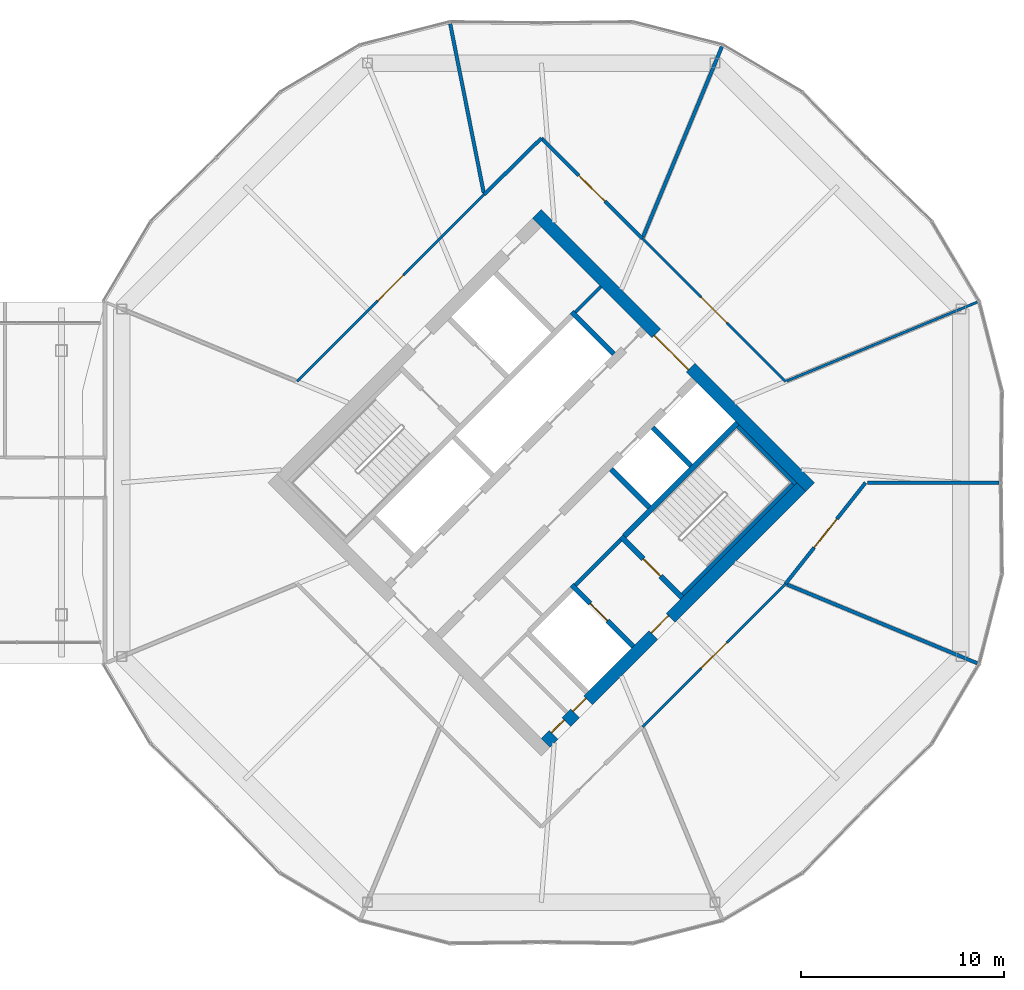
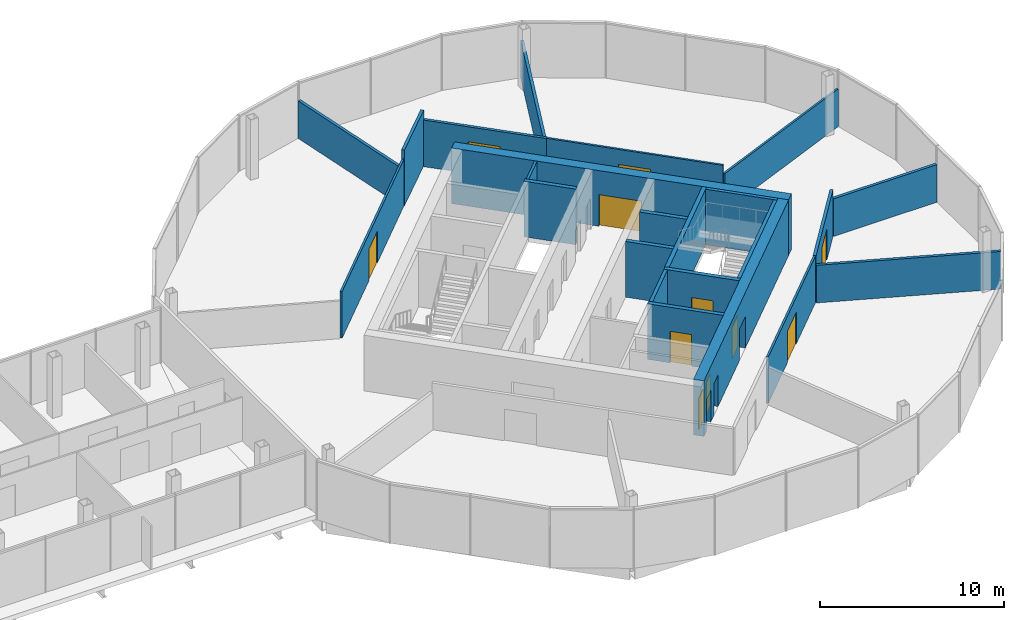
# One storey, part 24 of 26: 23 walls, 11 doors, 11 openings.
"""IFC4 building model written with IfcOpenShell, lengths in metres."""

import ifcopenshell
import ifcopenshell.guid

model = None  # the IFC model being written
_history = None  # IfcOwnerHistory: only IFC2X3 demands one
_inside = {}  # id of a spatial element -> (the spatial element, [elements in it])
_under = {}  # id of a project, library or spatial element -> (it, [spatial elements below it])
_declared = {}  # id of a project -> (the project, [libraries it declares])
_typed = {}  # id of a type object -> (the type object, [elements of that type])
_made_of = {}  # id of a material, layer set ... -> (it, [elements and type objects made of it])


def new_model(schema):
    """Start an empty IFC model of exactly this schema.

    Asked for "IFC4X3", IfcOpenShell would pick the latest addendum, in which some entities
    have other attributes; the version numbers below select the first issue.
    IFC2X3 requires an IfcOwnerHistory on every rooted entity: one is made here for all.
    """
    global model, _history
    if schema == "IFC4X3":
        model = ifcopenshell.file(schema_version=(4, 3, 0, 0))
    else:
        model = ifcopenshell.file(schema=schema)
    _inside.clear()
    _under.clear()
    _declared.clear()
    _typed.clear()
    _made_of.clear()
    _history = None
    if model.schema == "IFC2X3":
        org = make("IfcOrganization", Name="unknown")
        user = make(
            "IfcPersonAndOrganization",
            ThePerson=make("IfcPerson", FamilyName="unknown"),
            TheOrganization=org,
        )
        app = make(
            "IfcApplication",
            ApplicationDeveloper=org,
            Version="unknown",
            ApplicationFullName="unknown",
            ApplicationIdentifier="unknown",
        )
        _history = make(
            "IfcOwnerHistory",
            OwningUser=user,
            OwningApplication=app,
            ChangeAction="ADDED",
            CreationDate=0,
        )
    return model


def make(cls, **values):
    """One entity of the class cls with the attributes given. An attribute that is None is left unset."""
    return model.create_entity(
        cls, **{name: value for name, value in values.items() if value is not None}
    )


def rooted(cls, **values):
    """An entity with a GlobalId (a new one), such as an element, a storey or a relation."""
    return make(cls, GlobalId=ifcopenshell.guid.new(), OwnerHistory=_history, **values)


def si_unit(unit_type, name, prefix=None):
    """IfcSIUnit, for example si_unit("LENGTHUNIT", "METRE", prefix="MILLI")."""
    return make("IfcSIUnit", UnitType=unit_type, Prefix=prefix, Name=name)


def assignment(units):
    """IfcUnitAssignment: the units of a project."""
    return None if units is None else make("IfcUnitAssignment", Units=units)


def point(xyz):
    """IfcCartesianPoint."""
    return None if xyz is None else make("IfcCartesianPoint", Coordinates=xyz)


def direction(xyz):
    """IfcDirection."""
    return None if xyz is None else make("IfcDirection", DirectionRatios=xyz)


def frame(location, z_axis=None, x_axis=None):
    """IfcAxis2Placement3D, a coordinate frame: its origin and axes. An axis left out is left unset."""
    return make(
        "IfcAxis2Placement3D",
        Location=point(location),
        Axis=direction(z_axis),
        RefDirection=direction(x_axis),
    )


def frame_2d(location, x_axis=None):
    """IfcAxis2Placement2D, a coordinate frame in the plane: its origin and x axis."""
    return make(
        "IfcAxis2Placement2D", Location=point(location), RefDirection=direction(x_axis)
    )


def origin():
    """The frame at (0, 0, 0) with its axes left unset."""
    return frame((0.0, 0.0, 0.0))


def place(relative_to, where):
    """IfcLocalPlacement: puts the frame where relative to a parent placement (None: the world)."""
    return make(
        "IfcLocalPlacement", PlacementRelTo=relative_to, RelativePlacement=where
    )


def context(
    kind, dimensions, precision=None, world=None, true_north=None, identifier=None
):
    """IfcGeometricRepresentationContext, for example the 3D "Model" context."""
    return make(
        "IfcGeometricRepresentationContext",
        ContextIdentifier=identifier,
        ContextType=kind,
        CoordinateSpaceDimension=dimensions,
        Precision=precision,
        WorldCoordinateSystem=world,
        TrueNorth=true_north,
    )


def subcontext(parent, identifier, kind, view, scale=None):
    """IfcGeometricRepresentationSubContext, for example "Body" below "Model"."""
    return make(
        "IfcGeometricRepresentationSubContext",
        ContextIdentifier=identifier,
        ContextType=kind,
        ParentContext=parent,
        TargetScale=scale,
        TargetView=view,
    )


def project(units=None, contexts=None):
    """IfcProject with its units and contexts."""
    return rooted(
        "IfcProject",
        Name="project",
        RepresentationContexts=contexts,
        UnitsInContext=assignment(units),
    )


def spatial(cls, under=None, at=None, **own):
    """A site, building, storey or space (cls), placed at a placement, below another one or the project."""
    s = rooted(cls, ObjectPlacement=at, **own)
    if under is not None:
        _under.setdefault(under.id(), (under, []))[1].append(s)
    return s


def profile(cls, at=None, kind="AREA", **sizes):
    """A parametric profile (cls). Its sizes go by their IFC names, for example OverallWidth=200.0."""
    return make(cls, ProfileType=kind, Position=at, **sizes)


def rectangle(**sizes):
    """IfcRectangleProfileDef."""
    return profile("IfcRectangleProfileDef", **sizes)


def extrude(swept, where, along, depth):
    """IfcExtrudedAreaSolid: the profile swept, set in the frame where, extruded along a direction by depth."""
    return make(
        "IfcExtrudedAreaSolid",
        SweptArea=swept,
        Position=where,
        ExtrudedDirection=direction(along),
        Depth=depth,
    )


def shape(context_of_items, identifier, shape_type, items):
    """IfcShapeRepresentation: the items that make up one representation, for example the "Body"."""
    return make(
        "IfcShapeRepresentation",
        ContextOfItems=context_of_items,
        RepresentationIdentifier=identifier,
        RepresentationType=shape_type,
        Items=items,
    )


def material(Name=None, Category=None):
    """IfcMaterial."""
    return make("IfcMaterial", Name=Name, Category=Category)


def layer(
    of_material, thickness, ventilated=None, Name=None, Category=None, Priority=None
):
    """IfcMaterialLayer: one layer of a wall or slab, of a material (None: an air gap)."""
    return make(
        "IfcMaterialLayer",
        Material=of_material,
        LayerThickness=thickness,
        IsVentilated=ventilated,
        Name=Name,
        Category=Category,
        Priority=Priority,
    )


def layer_set(layers, Name=None):
    """IfcMaterialLayerSet."""
    return make("IfcMaterialLayerSet", MaterialLayers=layers, LayerSetName=Name)


def made_of(thing, what):
    """Note that an element or type object is made of a material, layer set ...; save() writes the relation."""
    if what is not None:
        _made_of.setdefault(what.id(), (what, []))[1].append(thing)
    return thing


def type_object(cls, material=None, **own):
    """A type object (cls), such as IfcWallType, which elements share."""
    return made_of(rooted(cls, **own), material)


def element(
    cls,
    number,
    at=None,
    inside=None,
    cuts=None,
    type_object=None,
    material=None,
    context=None,
    identifier="Body",
    shape_type=None,
    held_by="IfcProductDefinitionShape",
    body=None,
    shapes=None,
    **own,
):
    """One element of the class cls, such as IfcWall. Its Tag is "e" and its number.

    at: its placement. inside: the storey or other place that contains it. cuts: it is an
    opening in that element (IfcRelVoidsElement). A single representation is given by context,
    identifier, shape_type and body (its items); several are given by shapes. held_by: the class
    of the entity that holds the representations. save() writes the other relations.
    """
    e = rooted(cls, Tag="e%d" % number, ObjectPlacement=at, **own)
    if body is not None:
        shapes = [shape(context, identifier, shape_type, body)]
    if shapes is not None:
        e.Representation = make(held_by, Representations=shapes)
    if inside is not None:
        _inside.setdefault(inside.id(), (inside, []))[1].append(e)
    if cuts is not None:
        rooted(
            "IfcRelVoidsElement", RelatingBuildingElement=cuts, RelatedOpeningElement=e
        )
    if type_object is not None:
        _typed.setdefault(type_object.id(), (type_object, []))[1].append(e)
    return made_of(e, material)


def fill(opening, filler):
    """IfcRelFillsElement: the door or window that sits in an opening."""
    return rooted(
        "IfcRelFillsElement",
        RelatingOpeningElement=opening,
        RelatedBuildingElement=filler,
    )


def aggregate(whole, parts):
    """IfcRelAggregates: a whole, such as a stair, and the parts it consists of."""
    return rooted("IfcRelAggregates", RelatingObject=whole, RelatedObjects=parts)


def save(model, path):
    """Write the relations noted so far, then the file.

    IfcRelAggregates (storeys below a building ...), IfcRelContainedInSpatialStructure (elements
    in a storey), IfcRelDefinesByType, IfcRelAssociatesMaterial and IfcRelDeclares: one each for
    every whole, place, type object, material and project.
    """
    for whole, parts in _under.values():
        aggregate(whole, parts)
    for where, things in _inside.values():
        rooted(
            "IfcRelContainedInSpatialStructure",
            RelatedElements=things,
            RelatingStructure=where,
        )
    for kind, things in _typed.values():
        rooted("IfcRelDefinesByType", RelatedObjects=things, RelatingType=kind)
    for what, things in _made_of.values():
        rooted("IfcRelAssociatesMaterial", RelatedObjects=things, RelatingMaterial=what)
    for by, libraries in _declared.values():
        rooted("IfcRelDeclares", RelatingContext=by, RelatedDefinitions=libraries)
    model.write(path)


model = new_model("IFC4")

# Units and contexts
model_context = context("Model", 3, precision=1e-05, world=origin(), true_north=direction((0.0, 1.0)))
body_context = subcontext(model_context, "Body", "Model", "MODEL_VIEW")
ifc_project = project(units=[si_unit("LENGTHUNIT", "METRE"), si_unit("AREAUNIT", "SQUARE_METRE"), si_unit("VOLUMEUNIT", "CUBIC_METRE"), si_unit("PLANEANGLEUNIT", "RADIAN"), si_unit("MASSUNIT", "GRAM", prefix="KILO")], contexts=[model_context])

# Site, building, storey
site_placement = place(None, origin())
site = spatial("IfcSite", under=ifc_project, at=site_placement, CompositionType="ELEMENT")
building_placement = place(site_placement, origin())
building = spatial("IfcBuilding", under=site, at=building_placement, Name="Ogive Gate Towers", CompositionType="ELEMENT")
storey_placement = place(building_placement, frame((0.0, 0.0, 148.800048828125)))
storey = spatial("IfcBuildingStorey", under=building, at=storey_placement, Name="L35", CompositionType="ELEMENT", Elevation=148.800048828125)

# Walls
ifc_material_1 = material(Name="Gypsum board acoustic partition")
ifc_layer_1 = layer(ifc_material_1, 0.175048828125)
ifc_layer_set_1 = layer_set([ifc_layer_1], Name="Acoustic partition 175")
wall_type_1 = type_object("IfcWallType", Name="Acoustic partition 175", PredefinedType="PARTITIONING", material=ifc_layer_set_1)
wall_1_placement = place(storey_placement, frame((58.51904296875, 0.0, 0.0), z_axis=(0.0, 0.0, 1.0), x_axis=(-1.0, 0.0, 0.0)))
element("IfcWall", 1, at=wall_1_placement, inside=storey, type_object=wall_type_1, Name="Partition T2-L35-001", PredefinedType="PARTITIONING", context=body_context, shape_type="SweptSolid", body=[
    extrude(rectangle(XDim=6.4814453125, YDim=0.175048828125, at=frame_2d((3.24072265625, 0.0))), origin(), (0.0, 0.0, 1.0), 2.5),
])
wall_2_placement = place(storey_placement, frame((44.885986328125, 21.452392578125, 0.0), z_axis=(0.0, 0.0, 1.0), x_axis=(-0.382693022058, -0.923875560272, 0.0)))
element("IfcWall", 2, at=wall_2_placement, inside=storey, type_object=wall_type_1, Name="Partition T2-L35-003", PredefinedType="PARTITIONING", context=body_context, shape_type="SweptSolid", body=[
    extrude(rectangle(XDim=10.13134765625, YDim=0.175048828125, at=frame_2d((5.065673828125, 0.0))), origin(), (0.0, 0.0, 1.0), 2.5),
])
wall_3_placement = place(storey_placement, frame((31.516845703125, 22.57861328125, 0.0), z_axis=(0.0, 0.0, 1.0), x_axis=(0.194759728303, -0.980850981664, 0.0)))
element("IfcWall", 3, at=wall_3_placement, inside=storey, type_object=wall_type_1, Name="Partition T2-L35-004", PredefinedType="PARTITIONING", context=body_context, shape_type="SweptSolid", body=[
    extrude(rectangle(XDim=8.4814453125, YDim=0.175048828125, at=frame_2d((4.24072265625, 0.0))), origin(), (0.0, 0.0, 1.0), 2.5),
])
wall_4_placement = place(storey_placement, frame((57.452392578125, -8.885986328125, 0.0), z_axis=(0.0, 0.0, 1.0), x_axis=(-0.923875560272, 0.382693022058, 0.0)))
element("IfcWall", 4, at=wall_4_placement, inside=storey, type_object=wall_type_1, Name="Partition T2-L35-009", PredefinedType="PARTITIONING", context=body_context, shape_type="SweptSolid", body=[
    extrude(rectangle(XDim=10.13134765625, YDim=0.175048828125, at=frame_2d((5.065673828125, 0.0))), origin(), (0.0, 0.0, 1.0), 2.5),
])

# Wall, opening, door
wall_5_placement = place(storey_placement, frame((48.011474609375, -4.975341796875, 0.0), z_axis=(0.0, 0.0, 1.0), x_axis=(0.620670423241, 0.784071569255, 0.0)))
wall_5 = element("IfcWall", 5, at=wall_5_placement, inside=storey, type_object=wall_type_1, Name="Partition T2-L35-014", PredefinedType="PARTITIONING", context=body_context, shape_type="SweptSolid", body=[
    extrude(rectangle(XDim=6.345458984375, YDim=0.175048828125, at=frame_2d((3.1728515625, 0.0))), origin(), (0.0, 0.0, 1.0), 3.099853515625),
])
opening_1_placement = place(wall_5_placement, frame((2.27294921875, 0.0, 0.0)))
opening_1 = element("IfcOpeningElement", 6, at=opening_1_placement, cuts=wall_5, Name="Opening T2-L35-D04", PredefinedType="OPENING", context=body_context, shape_type="SweptSolid", body=[
    extrude(rectangle(XDim=1.800048828125, YDim=2.10009765625, at=frame_2d((0.89990234375, 1.050048828125))), frame((0.0, 0.09765625, 0.0), z_axis=(0.0, -1.0, 0.0), x_axis=(1.0, 0.0, 0.0)), (0.0, 0.0, 1.0), 0.195068359375),
])
ifc_material_2 = material(Name="Timber door", Category="wood")
door_type_1 = type_object("IfcDoorType", Name="Door pair 1800", OperationType="NOTDEFINED", PredefinedType="DOOR", material=ifc_material_2)
door_1_placement = place(opening_1_placement, origin())
door_1 = element("IfcDoor", 7, at=door_1_placement, inside=storey, type_object=door_type_1, Name="Door T2-L35-D04", OperationType="DOUBLE_DOOR_DOUBLE_SWING", OverallHeight=2.10009765625, OverallWidth=1.800048828125, PredefinedType="DOOR", context=body_context, shape_type="SweptSolid", body=[
    extrude(rectangle(XDim=1.800048828125, YDim=2.10009765625, at=frame_2d((0.89990234375, 1.050048828125))), frame((0.0, 0.02490234375, 0.0), z_axis=(0.0, -1.0, 0.0), x_axis=(1.0, 0.0, 0.0)), (0.0, 0.0, 1.0), 0.050048828125),
])
fill(opening_1, door_1)

wall_6_placement = place(storey_placement, frame((40.975341796875, 12.011474609375, 0.0), z_axis=(0.0, 0.0, 1.0), x_axis=(-0.710271300177, 0.703928036198, 0.0)))
wall_6 = element("IfcWall", 8, at=wall_6_placement, inside=storey, type_object=wall_type_1, Name="Partition T2-L35-016", PredefinedType="PARTITIONING", context=body_context, shape_type="SweptSolid", body=[
    extrude(rectangle(XDim=7.0048828125, YDim=0.175048828125, at=frame_2d((3.50244140625, 0.0))), origin(), (0.0, 0.0, 1.0), 3.099853515625),
])
opening_2_placement = place(wall_6_placement, frame((2.60205078125, 0.0, 0.0)))
opening_2 = element("IfcOpeningElement", 9, at=opening_2_placement, cuts=wall_6, Name="Opening T2-L35-D06", PredefinedType="OPENING", context=body_context, shape_type="SweptSolid", body=[
    extrude(rectangle(XDim=1.800048828125, YDim=2.10009765625, at=frame_2d((0.89990234375, 1.050048828125))), frame((0.0, 0.09765625, 0.0), z_axis=(0.0, -1.0, 0.0), x_axis=(1.0, 0.0, 0.0)), (0.0, 0.0, 1.0), 0.195068359375),
])
door_2_placement = place(opening_2_placement, origin())
door_2 = element("IfcDoor", 10, at=door_2_placement, inside=storey, type_object=door_type_1, Name="Door T2-L35-D06", OperationType="DOUBLE_DOOR_DOUBLE_SWING", OverallHeight=2.10009765625, OverallWidth=1.800048828125, PredefinedType="DOOR", context=body_context, shape_type="SweptSolid", body=[
    extrude(rectangle(XDim=1.800048828125, YDim=2.10009765625, at=frame_2d((0.89990234375, 1.050048828125))), frame((0.0, 0.02490234375, 0.0), z_axis=(0.0, -1.0, 0.0), x_axis=(1.0, 0.0, 0.0)), (0.0, 0.0, 1.0), 0.050048828125),
])
fill(opening_2, door_2)

# Walls
wall_7_placement = place(storey_placement, frame((36.0, 16.9423828125, 0.0), z_axis=(0.0, 0.0, 1.0), x_axis=(-0.712895882569, -0.701269891423, 0.0)))
element("IfcWall", 11, at=wall_7_placement, inside=storey, type_object=wall_type_1, Name="Partition T2-L35-017", PredefinedType="PARTITIONING", context=body_context, shape_type="SweptSolid", body=[
    extrude(rectangle(XDim=3.947998046875, YDim=0.175048828125, at=frame_2d((1.97412109375, 0.0))), origin(), (0.0, 0.0, 1.0), 3.699951171875),
])
ifc_material_3 = material(Name="Masonry blockwork", Category="masonry")
ifc_layer_2 = layer(ifc_material_3, 0.199951171875)
ifc_layer_set_2 = layer_set([ifc_layer_2], Name="Blockwork wall 200 mm")
wall_type_2 = type_object("IfcWallType", Name="Blockwork wall 200 mm", PredefinedType="PARTITIONING", material=ifc_layer_set_2)
wall_8_placement = place(storey_placement, frame((37.679443359375, -5.0380859375, 0.0), z_axis=(0.0, 0.0, 1.0), x_axis=(0.707106781187, 0.707106781187, 0.0)))
element("IfcWall", 12, at=wall_8_placement, inside=storey, type_object=wall_type_2, Name="T2 L35 Blockwork wall 200 mm", PredefinedType="PARTITIONING", context=body_context, shape_type="SweptSolid", body=[
    extrude(rectangle(XDim=3.14990234375, YDim=0.199951171875, at=frame_2d((1.574951171875, 0.0))), origin(), (0.0, 0.0, 1.0), 3.699951171875),
])

# Wall, openings, doors
ifc_material_4 = material(Name="Concrete C60/75", Category="concrete")
ifc_layer_3 = layer(ifc_material_4, 0.60009765625)
ifc_layer_set_3 = layer_set([ifc_layer_3], Name="Core wall 600 mm")
wall_type_3 = type_object("IfcWallType", Name="Core wall 600 mm", PredefinedType="SHEAR", material=ifc_layer_set_3)
wall_9_placement = place(storey_placement, frame((36.212158203125, -12.798583984375, 0.0), z_axis=(0.0, 0.0, 1.0), x_axis=(0.707106781187, 0.707106781187, 0.0)))
wall_9 = element("IfcWall", 13, at=wall_9_placement, inside=storey, type_object=wall_type_3, Name="T2 L35 Core wall 600 mm", PredefinedType="SHEAR", context=body_context, shape_type="SweptSolid", body=[
    extrude(rectangle(XDim=17.7998046875, YDim=0.60009765625, at=frame_2d((8.89990234375, 0.0))), origin(), (0.0, 0.0, 1.0), 3.699951171875),
])
opening_3_placement = place(wall_9_placement, frame((7.5, 0.0, 0.0)))
opening_3 = element("IfcOpeningElement", 14, at=opening_3_placement, cuts=wall_9, Name="Opening KD-T2-L35-19", PredefinedType="OPENING", context=body_context, shape_type="SweptSolid", body=[
    extrude(rectangle(XDim=1.199951171875, YDim=2.10009765625, at=frame_2d((0.60009765625, 1.050048828125))), frame((0.0, 0.31005859375, 0.0), z_axis=(0.0, -1.0, 0.0), x_axis=(1.0, 0.0, 0.0)), (0.0, 0.0, 1.0), 0.6201171875),
])
opening_4_placement = place(wall_9_placement, frame((0.550048828125, 0.0, 0.0)))
opening_4 = element("IfcOpeningElement", 15, at=opening_4_placement, cuts=wall_9, Name="Opening KD-T2-L35-21", PredefinedType="OPENING", context=body_context, shape_type="SweptSolid", body=[
    extrude(rectangle(XDim=0.89990234375, YDim=2.10009765625, at=frame_2d((0.449951171875, 1.050048828125))), frame((0.0, 0.31005859375, 0.0), z_axis=(0.0, -1.0, 0.0), x_axis=(1.0, 0.0, 0.0)), (0.0, 0.0, 1.0), 0.6201171875),
])
opening_5_placement = place(wall_9_placement, frame((2.050048828125, 0.0, 0.0)))
opening_5 = element("IfcOpeningElement", 16, at=opening_5_placement, cuts=wall_9, Name="Opening KD-T2-L35-22", PredefinedType="OPENING", context=body_context, shape_type="SweptSolid", body=[
    extrude(rectangle(XDim=0.89990234375, YDim=2.10009765625, at=frame_2d((0.449951171875, 1.050048828125))), frame((0.0, 0.31005859375, 0.0), z_axis=(0.0, -1.0, 0.0), x_axis=(1.0, 0.0, 0.0)), (0.0, 0.0, 1.0), 0.6201171875),
])
door_type_2 = type_object("IfcDoorType", Name="Core WC door 900 x 2100", OperationType="NOTDEFINED", PredefinedType="DOOR", material=ifc_material_2)
door_3_placement = place(opening_4_placement, origin())
door_3 = element("IfcDoor", 17, at=door_3_placement, inside=storey, type_object=door_type_2, Name="T2 L35 Core door", OperationType="SINGLE_SWING_RIGHT", OverallHeight=2.10009765625, OverallWidth=0.89990234375, PredefinedType="DOOR", context=body_context, shape_type="SweptSolid", body=[
    extrude(rectangle(XDim=0.89990234375, YDim=2.10009765625, at=frame_2d((0.449951171875, 1.050048828125))), frame((0.0, 0.1748046875, 0.0), z_axis=(0.0, -1.0, 0.0), x_axis=(1.0, 0.0, 0.0)), (0.0, 0.0, 1.0), 0.050048828125),
])
fill(opening_4, door_3)
door_4_placement = place(opening_5_placement, origin())
door_4 = element("IfcDoor", 18, at=door_4_placement, inside=storey, type_object=door_type_2, Name="T2 L35 Core door", OperationType="SINGLE_SWING_LEFT", OverallHeight=2.10009765625, OverallWidth=0.89990234375, PredefinedType="DOOR", context=body_context, shape_type="SweptSolid", body=[
    extrude(rectangle(XDim=0.89990234375, YDim=2.10009765625, at=frame_2d((0.449951171875, 1.050048828125))), frame((0.0, 0.1748046875, 0.0), z_axis=(0.0, -1.0, 0.0), x_axis=(1.0, 0.0, 0.0)), (0.0, 0.0, 1.0), 0.050048828125),
])
fill(opening_5, door_4)
ifc_material_5 = material(Name="Steel fire door", Category="steel")
door_type_3 = type_object("IfcDoorType", Name="Core door FD60S 1200 x 2100", OperationType="NOTDEFINED", PredefinedType="DOOR", material=ifc_material_5)
door_5_placement = place(opening_3_placement, origin())
door_5 = element("IfcDoor", 19, at=door_5_placement, inside=storey, type_object=door_type_3, Name="T2 L35 Fire-fighting lobby door", OperationType="SINGLE_SWING_RIGHT", OverallHeight=2.10009765625, OverallWidth=1.199951171875, PredefinedType="DOOR", context=body_context, shape_type="SweptSolid", body=[
    extrude(rectangle(XDim=1.199951171875, YDim=2.10009765625, at=frame_2d((0.60009765625, 1.050048828125))), frame((0.0, 0.1748046875, 0.0), z_axis=(0.0, -1.0, 0.0), x_axis=(1.0, 0.0, 0.0)), (0.0, 0.0, 1.0), 0.050048828125),
])
fill(opening_3, door_5)

# Wall, opening, door
wall_10_placement = place(storey_placement, frame((49.222900390625, -0.212158203125, 0.0), z_axis=(0.0, 0.0, 1.0), x_axis=(-0.707106781187, 0.707106781187, 0.0)))
wall_10 = element("IfcWall", 20, at=wall_10_placement, inside=storey, type_object=wall_type_3, Name="T2 L35 Core wall 600 mm", PredefinedType="SHEAR", context=body_context, shape_type="SweptSolid", body=[
    extrude(rectangle(XDim=19.0, YDim=0.60009765625, at=frame_2d((9.5, 0.0))), origin(), (0.0, 0.0, 1.0), 3.699951171875),
])
opening_6_placement = place(wall_10_placement, frame((8.300048828125, 0.0, 0.0)))
opening_6 = element("IfcOpeningElement", 21, at=opening_6_placement, cuts=wall_10, Name="Opening KD-T2-L35-02", PredefinedType="OPENING", context=body_context, shape_type="SweptSolid", body=[
    extrude(rectangle(XDim=2.39990234375, YDim=2.10009765625, at=frame_2d((1.199951171875, 1.050048828125))), frame((0.0, 0.31005859375, 0.0), z_axis=(0.0, -1.0, 0.0), x_axis=(1.0, 0.0, 0.0)), (0.0, 0.0, 1.0), 0.6201171875),
])
door_type_4 = type_object("IfcDoorType", Name="Core double door FD60S 2400 x 2100", OperationType="DOUBLE_DOOR_SINGLE_SWING", PredefinedType="DOOR", material=ifc_material_5)
door_6_placement = place(opening_6_placement, origin())
door_6 = element("IfcDoor", 22, at=door_6_placement, inside=storey, type_object=door_type_4, Name="T2 L35 Core door double", OperationType="DOUBLE_DOOR_SINGLE_SWING", OverallHeight=2.10009765625, OverallWidth=2.39990234375, PredefinedType="DOOR", context=body_context, shape_type="SweptSolid", body=[
    extrude(rectangle(XDim=2.39990234375, YDim=2.10009765625, at=frame_2d((1.199951171875, 1.050048828125))), frame((0.0, 0.1748046875, 0.0), z_axis=(0.0, -1.0, 0.0), x_axis=(1.0, 0.0, 0.0)), (0.0, 0.0, 1.0), 0.050048828125),
])
fill(opening_6, door_6)

# Wall
ifc_material_6 = material(Name="Gypsum board partition")
ifc_layer_4 = layer(ifc_material_6, 0.125)
ifc_layer_set_4 = layer_set([ifc_layer_4], Name="Partition 125")
wall_type_4 = type_object("IfcWallType", Name="Partition 125", PredefinedType="PARTITIONING", material=ifc_layer_set_4)
wall_11_placement = place(storey_placement, frame((57.452392578125, 8.885986328125, 0.0), z_axis=(0.0, 0.0, 1.0), x_axis=(-0.923878547133, -0.38268581127, 0.0)))
element("IfcWall", 23, at=wall_11_placement, inside=storey, type_object=wall_type_4, Name="Partition T2-L35-002", PredefinedType="PARTITIONING", context=body_context, shape_type="SweptSolid", body=[
    extrude(rectangle(XDim=10.156494140625, YDim=0.125, at=frame_2d((5.078125, 0.0))), origin(), (0.0, 0.0, 1.0), 2.5),
])

# Wall, opening, door
wall_12_placement = place(storey_placement, frame((40.975341796875, -12.011474609375, 0.0), z_axis=(0.0, 0.0, 1.0), x_axis=(0.707106781187, 0.707106781187, 0.0)))
wall_12 = element("IfcWall", 24, at=wall_12_placement, inside=storey, type_object=wall_type_4, Name="Partition T2-L35-013", PredefinedType="PARTITIONING", context=body_context, shape_type="SweptSolid", body=[
    extrude(rectangle(XDim=9.95068359375, YDim=0.125, at=frame_2d((4.975341796875, 0.0))), origin(), (0.0, 0.0, 1.0), 3.099853515625),
])
opening_7_placement = place(wall_12_placement, frame((4.074951171875, 0.0, 0.0)))
opening_7 = element("IfcOpeningElement", 25, at=opening_7_placement, cuts=wall_12, Name="Opening T2-L35-D03", PredefinedType="OPENING", context=body_context, shape_type="SweptSolid", body=[
    extrude(rectangle(XDim=1.800048828125, YDim=2.10009765625, at=frame_2d((0.89990234375, 1.050048828125))), frame((0.0, 0.072509765625, 0.0), z_axis=(0.0, -1.0, 0.0), x_axis=(1.0, 0.0, 0.0)), (0.0, 0.0, 1.0), 0.14501953125),
])
door_7_placement = place(opening_7_placement, origin())
door_7 = element("IfcDoor", 26, at=door_7_placement, inside=storey, type_object=door_type_1, Name="Door T2-L35-D03", OperationType="DOUBLE_DOOR_DOUBLE_SWING", OverallHeight=2.10009765625, OverallWidth=1.800048828125, PredefinedType="DOOR", context=body_context, shape_type="SweptSolid", body=[
    extrude(rectangle(XDim=1.800048828125, YDim=2.10009765625, at=frame_2d((0.89990234375, 1.050048828125))), frame((0.0, 0.02490234375, 0.0), z_axis=(0.0, -1.0, 0.0), x_axis=(1.0, 0.0, 0.0)), (0.0, 0.0, 1.0), 0.050048828125),
])
fill(opening_7, door_7)

wall_13_placement = place(storey_placement, frame((48.011474609375, 4.975341796875, 0.0), z_axis=(0.0, 0.0, 1.0), x_axis=(-0.707106781187, 0.707106781187, 0.0)))
wall_13 = element("IfcWall", 27, at=wall_13_placement, inside=storey, type_object=wall_type_4, Name="Partition T2-L35-015", PredefinedType="PARTITIONING", context=body_context, shape_type="SweptSolid", body=[
    extrude(rectangle(XDim=9.95068359375, YDim=0.125, at=frame_2d((4.975341796875, 0.0))), origin(), (0.0, 0.0, 1.0), 3.099853515625),
])
opening_8_placement = place(wall_13_placement, frame((4.074951171875, 0.0, 0.0)))
opening_8 = element("IfcOpeningElement", 28, at=opening_8_placement, cuts=wall_13, Name="Opening T2-L35-D05", PredefinedType="OPENING", context=body_context, shape_type="SweptSolid", body=[
    extrude(rectangle(XDim=1.800048828125, YDim=2.10009765625, at=frame_2d((0.89990234375, 1.050048828125))), frame((0.0, 0.072509765625, 0.0), z_axis=(0.0, -1.0, 0.0), x_axis=(1.0, 0.0, 0.0)), (0.0, 0.0, 1.0), 0.14501953125),
])
door_8_placement = place(opening_8_placement, origin())
door_8 = element("IfcDoor", 29, at=door_8_placement, inside=storey, type_object=door_type_1, Name="Door T2-L35-D05", OperationType="DOUBLE_DOOR_DOUBLE_SWING", OverallHeight=2.10009765625, OverallWidth=1.800048828125, PredefinedType="DOOR", context=body_context, shape_type="SweptSolid", body=[
    extrude(rectangle(XDim=1.800048828125, YDim=2.10009765625, at=frame_2d((0.89990234375, 1.050048828125))), frame((0.0, 0.02490234375, 0.0), z_axis=(0.0, -1.0, 0.0), x_axis=(1.0, 0.0, 0.0)), (0.0, 0.0, 1.0), 0.050048828125),
])
fill(opening_8, door_8)

wall_14_placement = place(storey_placement, frame((33.185546875, 14.173828125, 0.0), z_axis=(0.0, 0.0, 1.0), x_axis=(-0.707050471668, -0.707163086221, 0.0)))
wall_14 = element("IfcWall", 30, at=wall_14_placement, inside=storey, type_object=wall_type_4, Name="Partition T2-L35-018", PredefinedType="PARTITIONING", context=body_context, shape_type="SweptSolid", body=[
    extrude(rectangle(XDim=13.007568359375, YDim=0.125, at=frame_2d((6.50390625, 0.0))), origin(), (0.0, 0.0, 1.0), 3.099853515625),
])
opening_9_placement = place(wall_14_placement, frame((5.60400390625, 0.0, 0.0)))
opening_9 = element("IfcOpeningElement", 31, at=opening_9_placement, cuts=wall_14, Name="Opening T2-L35-D07", PredefinedType="OPENING", context=body_context, shape_type="SweptSolid", body=[
    extrude(rectangle(XDim=1.800048828125, YDim=2.10009765625, at=frame_2d((0.89990234375, 1.050048828125))), frame((0.0, 0.072509765625, 0.0), z_axis=(0.0, -1.0, 0.0), x_axis=(1.0, 0.0, 0.0)), (0.0, 0.0, 1.0), 0.14501953125),
])
door_9_placement = place(opening_9_placement, origin())
door_9 = element("IfcDoor", 32, at=door_9_placement, inside=storey, type_object=door_type_1, Name="Door T2-L35-D07", OperationType="DOUBLE_DOOR_DOUBLE_SWING", OverallHeight=2.10009765625, OverallWidth=1.800048828125, PredefinedType="DOOR", context=body_context, shape_type="SweptSolid", body=[
    extrude(rectangle(XDim=1.800048828125, YDim=2.10009765625, at=frame_2d((0.89990234375, 1.050048828125))), frame((0.0, 0.02490234375, 0.0), z_axis=(0.0, -1.0, 0.0), x_axis=(1.0, 0.0, 0.0)), (0.0, 0.0, 1.0), 0.050048828125),
])
fill(opening_9, door_9)

# Walls
ifc_layer_5 = layer(ifc_material_6, 0.14990234375)
ifc_layer_set_5 = layer_set([ifc_layer_5], Name="Room partition 150 mm")
wall_type_5 = type_object("IfcWallType", Name="Room partition 150 mm", PredefinedType="PARTITIONING", material=ifc_layer_set_5)
wall_15_placement = place(storey_placement, frame((37.679443359375, 8.39697265625, 0.0), z_axis=(0.0, 0.0, 1.0), x_axis=(0.707106781187, 0.707106781187, 0.0)))
element("IfcWall", 33, at=wall_15_placement, inside=storey, type_object=wall_type_5, Name="T2 L35 Room partition 150 mm", PredefinedType="PARTITIONING", context=body_context, shape_type="SweptSolid", body=[
    extrude(rectangle(XDim=1.77490234375, YDim=0.14990234375, at=frame_2d((0.887451171875, 0.0))), origin(), (0.0, 0.0, 1.0), 3.699951171875),
])
ifc_layer_6 = layer(ifc_material_4, 0.25)
ifc_layer_set_6 = layer_set([ifc_layer_6], Name="Shaft wall 250 mm")
wall_type_6 = type_object("IfcWallType", Name="Shaft wall 250 mm", PredefinedType="SHEAR", material=ifc_layer_set_6)
wall_16_placement = place(storey_placement, frame((40.08349609375, -2.634033203125, 0.0), z_axis=(0.0, 0.0, 1.0), x_axis=(0.707106781187, 0.707106781187, 0.0)))
element("IfcWall", 34, at=wall_16_placement, inside=storey, type_object=wall_type_6, Name="T2 L35 Shaft wall 250 mm", PredefinedType="SHEAR", context=body_context, shape_type="SweptSolid", body=[
    extrude(rectangle(XDim=7.875244140625, YDim=0.25, at=frame_2d((3.9375, 0.0))), origin(), (0.0, 0.0, 1.0), 3.699951171875),
])

# Wall, opening, door
wall_17_placement = place(storey_placement, frame((40.525390625, -8.06103515625, 0.0), z_axis=(0.0, 0.0, 1.0), x_axis=(-0.707078225638, 0.707135335582, 0.0)))
wall_17 = element("IfcWall", 35, at=wall_17_placement, inside=storey, type_object=wall_type_6, Name="T2 L35 Shaft wall 250 mm", PredefinedType="SHEAR", context=body_context, shape_type="SweptSolid", body=[
    extrude(rectangle(XDim=4.27490234375, YDim=0.25, at=frame_2d((2.137451171875, 0.0))), origin(), (0.0, 0.0, 1.0), 3.699951171875),
])
opening_10_placement = place(wall_17_placement, frame((1.800048828125, 0.0, 0.0)))
opening_10 = element("IfcOpeningElement", 36, at=opening_10_placement, cuts=wall_17, Name="Opening LD-T2-L35-13", PredefinedType="OPENING", context=body_context, shape_type="SweptSolid", body=[
    extrude(rectangle(XDim=1.199951171875, YDim=2.10009765625, at=frame_2d((0.60009765625, 1.050048828125))), frame((0.0, 0.135009765625, 0.0), z_axis=(0.0, -1.0, 0.0), x_axis=(1.0, 0.0, 0.0)), (0.0, 0.0, 1.0), 0.27001953125),
])
ifc_material_7 = material(Name="Stainless steel landing door", Category="steel")
door_type_5 = type_object("IfcDoorType", Name="Landing door 1200 x 2100", OperationType="SLIDING_TO_LEFT", PredefinedType="DOOR", material=ifc_material_7)
door_10_placement = place(opening_10_placement, origin())
door_10 = element("IfcDoor", 37, at=door_10_placement, inside=storey, type_object=door_type_5, Name="T2 L35 Lift landing door FF2", OperationType="SLIDING_TO_LEFT", OverallHeight=2.10009765625, OverallWidth=1.199951171875, PredefinedType="DOOR", context=body_context, shape_type="SweptSolid", body=[
    extrude(rectangle(XDim=1.199951171875, YDim=2.10009765625, at=frame_2d((0.60009765625, 1.050048828125))), frame((0.0, 0.02490234375, 0.0), z_axis=(0.0, -1.0, 0.0), x_axis=(1.0, 0.0, 0.0)), (0.0, 0.0, 1.0), 0.050048828125),
])
fill(opening_10, door_10)

wall_18_placement = place(storey_placement, frame((42.9296875, -5.656982421875, 0.0), z_axis=(0.0, 0.0, 1.0), x_axis=(-0.707106781187, 0.707106781187, 0.0)))
wall_18 = element("IfcWall", 38, at=wall_18_placement, inside=storey, type_object=wall_type_6, Name="T2 L35 Shaft wall 250 mm", PredefinedType="SHEAR", context=body_context, shape_type="SweptSolid", body=[
    extrude(rectangle(XDim=4.250244140625, YDim=0.25, at=frame_2d((2.125, 0.0))), origin(), (0.0, 0.0, 1.0), 3.699951171875),
])
opening_11_placement = place(wall_18_placement, frame((1.5, 0.0, 0.0)))
opening_11 = element("IfcOpeningElement", 39, at=opening_11_placement, cuts=wall_18, Name="Opening KD-T2-L35-17", PredefinedType="OPENING", context=body_context, shape_type="SweptSolid", body=[
    extrude(rectangle(XDim=1.199951171875, YDim=2.10009765625, at=frame_2d((0.60009765625, 1.050048828125))), frame((0.0, 0.135009765625, 0.0), z_axis=(0.0, -1.0, 0.0), x_axis=(1.0, 0.0, 0.0)), (0.0, 0.0, 1.0), 0.27001953125),
])
door_11_placement = place(opening_11_placement, origin())
door_11 = element("IfcDoor", 40, at=door_11_placement, inside=storey, type_object=door_type_3, Name="T2 L35 Stair door", OperationType="SINGLE_SWING_RIGHT", OverallHeight=2.10009765625, OverallWidth=1.199951171875, PredefinedType="DOOR", context=body_context, shape_type="SweptSolid", body=[
    extrude(rectangle(XDim=1.199951171875, YDim=2.10009765625, at=frame_2d((0.60009765625, 1.050048828125))), frame((0.0, 0.02490234375, 0.0), z_axis=(0.0, -1.0, 0.0), x_axis=(1.0, 0.0, 0.0)), (0.0, 0.0, 1.0), 0.050048828125),
])
fill(opening_11, door_11)

# Walls
for number, where, z_axis, x_axis, name in (
    (41, (41.321044921875, -1.2197265625, 0.0), (0.0, 0.0, 1.0), (-0.707106781187, 0.707106781187, 0.0), "T2 L35 Shaft wall 250 mm"),
    (42, (43.37158203125, 0.830810546875, 0.0), (0.0, 0.0, 1.0), (-0.707106781187, 0.707106781187, 0.0), "T2 L35 Shaft wall 250 mm"),
):
    element("IfcWall", number, at=place(storey_placement, frame(where, z_axis=z_axis, x_axis=x_axis)), inside=storey, type_object=wall_type_6, Name=name, PredefinedType="SHEAR", context=body_context, shape_type="SweptSolid", body=[
        extrude(rectangle(XDim=2.675048828125, YDim=0.25, at=frame_2d((1.33740234375, 0.0))), origin(), (0.0, 0.0, 1.0), 3.699951171875),
    ])
wall_19_placement = place(storey_placement, frame((39.57080078125, 6.32861328125, 0.0), z_axis=(0.0, 0.0, 1.0), x_axis=(-0.707065045505, 0.707148514405, 0.0)))
element("IfcWall", 43, at=wall_19_placement, inside=storey, type_object=wall_type_6, Name="T2 L35 Shaft wall 250 mm", PredefinedType="SHEAR", context=body_context, shape_type="SweptSolid", body=[
    extrude(rectangle(XDim=2.925048828125, YDim=0.25, at=frame_2d((1.46240234375, 0.0))), origin(), (0.0, 0.0, 1.0), 3.699951171875),
])
ifc_layer_7 = layer(ifc_material_4, 0.199951171875)
ifc_layer_set_7 = layer_set([ifc_layer_7], Name="Stair wall 200 mm")
wall_type_7 = type_object("IfcWallType", Name="Stair wall 200 mm", PredefinedType="SHEAR", material=ifc_layer_set_7)
wall_20_placement = place(storey_placement, frame((42.947265625, -5.497802734375, 0.0), z_axis=(0.0, 0.0, 1.0), x_axis=(0.707122685701, 0.707090876314, 0.0)))
element("IfcWall", 44, at=wall_20_placement, inside=storey, type_object=wall_type_7, Name="T2 L35 Stair wall 200 mm", PredefinedType="SHEAR", context=body_context, shape_type="SweptSolid", body=[
    extrude(rectangle(XDim=7.675048828125, YDim=0.199951171875, at=frame_2d((3.83740234375, 0.0))), origin(), (0.0, 0.0, 1.0), 3.699951171875),
])
wall_21_placement = place(storey_placement, frame((48.515869140625, -0.07080078125, 0.0), z_axis=(0.0, 0.0, 1.0), x_axis=(-0.707106781187, 0.707106781187, 0.0)))
element("IfcWall", 45, at=wall_21_placement, inside=storey, type_object=wall_type_7, Name="T2 L35 Stair wall 200 mm", PredefinedType="SHEAR", context=body_context, shape_type="SweptSolid", body=[
    extrude(rectangle(XDim=4.025146484375, YDim=0.199951171875, at=frame_2d((2.0126953125, 0.0))), origin(), (0.0, 0.0, 1.0), 3.699951171875),
])

save(model, "model.ifc")
